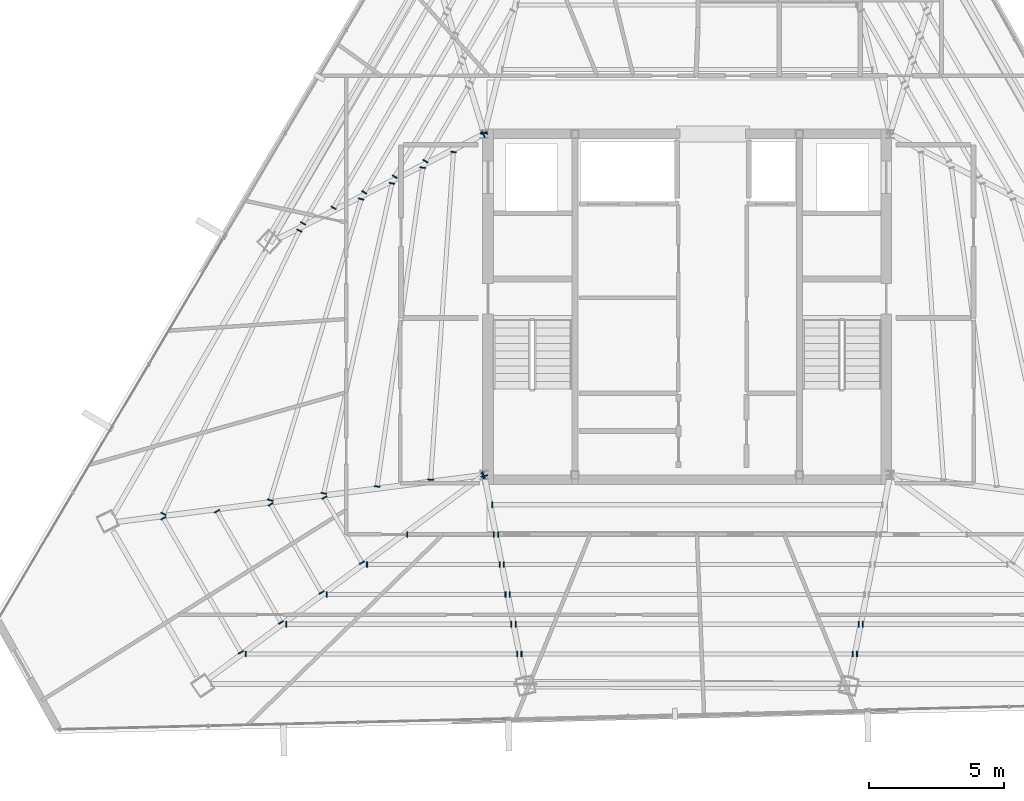
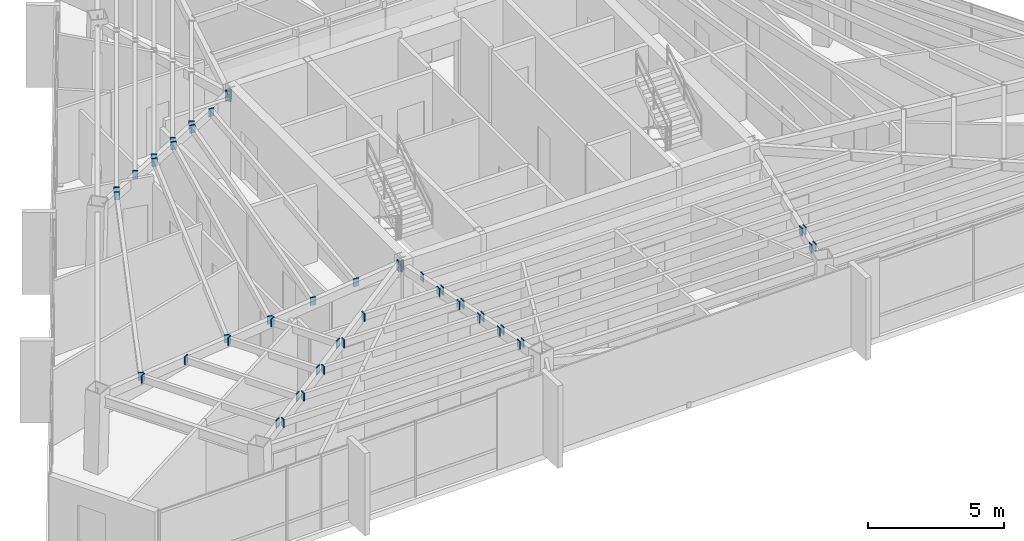
# One storey, part 39 of 48: 49 plates.
"""IFC4 building model written with IfcOpenShell, lengths in metres."""

from ifc_helpers import new_model, si_unit, direction, frame, origin, origin_2d, place, context, subcontext, project, spatial, rectangle, extrude, source, transform, mapped, material, layer, layer_set, type_object, type_shapes, element, save


model = new_model("IFC4")

# Units and contexts
model_context = context("Model", 3, precision=1e-05, world=origin(), true_north=direction((0.0, 1.0)))
body_context = subcontext(model_context, "Body", "Model", "MODEL_VIEW")
ifc_project = project(units=[si_unit("LENGTHUNIT", "METRE"), si_unit("AREAUNIT", "SQUARE_METRE"), si_unit("VOLUMEUNIT", "CUBIC_METRE"), si_unit("PLANEANGLEUNIT", "RADIAN"), si_unit("MASSUNIT", "GRAM", prefix="KILO")], contexts=[model_context])

# Site, building, storey
site_placement = place(None, origin())
site = spatial("IfcSite", under=ifc_project, at=site_placement, CompositionType="ELEMENT")
building_placement = place(site_placement, origin())
building = spatial("IfcBuilding", under=site, at=building_placement, Name="Caelisora Broadcast Tower", CompositionType="ELEMENT")
storey_placement = place(building_placement, frame((0.0, 0.0, 270.0)))
storey = spatial("IfcBuildingStorey", under=building, at=storey_placement, Name="L71", CompositionType="ELEMENT", Elevation=270.0)

# Plates
ifc_material = material(Name="Steel Grade 350 L15 (AS/NZS 3678)", Category="steel")
ifc_layer = layer(ifc_material, 0.0400390625, Name="Steel Grade 350 L15 (AS/NZS 3678)")
ifc_layer_set = layer_set([ifc_layer], Name="Steel Grade 350 L15 (AS/NZS 3678)")
plate_type = type_object("IfcPlateType", Name="GP04", PredefinedType="USERDEFINED", material=ifc_layer_set)
shared_shape_1 = source(origin(), body_context, "Body", "SweptSolid", [
    extrude(rectangle(XDim=0.260009765625, YDim=0.0400390625, at=origin_2d()), origin(), (0.0, 0.0, 1.0), 0.4599609375),
])
for number, where, z_axis, x_axis, name in (
    (1, (30.509521484375, 30.038818359375, 2.969970703125), (0.0, 0.0, 1.0), (-0.971631732915, 0.236498997024, 0.0), "L71 gusset plate GP04 (ND-RAD-L71-02)"),
    (2, (30.48828125, 30.038330078125, 2.969970703125), (0.0, 0.0, 1.0), (-0.957269037387, -0.289198876314, 0.0), "L71 gusset plate GP04 (ND-RAD-L71-03)"),
    (3, (30.46435546875, 29.98193359375, 2.969970703125), (0.0, 0.0, 1.0), (0.453368349255, -0.891323252189, 0.0), "L71 gusset plate GP04 (ND-RAD-L71-04)"),
    (4, (30.460205078125, 17.39501953125, 2.969970703125), (0.0, 0.0, 1.0), (0.127064608601, -0.99189444259, 0.0), "L71 gusset plate GP04 (ND-RAD-L71-05)"),
    (5, (30.4677734375, 17.376220703125, 2.969970703125), (0.0, 0.0, 1.0), (0.594682478203, -0.803960664534, 0.0), "L71 gusset plate GP04 (ND-RAD-L71-06)"),
    (6, (30.5078125, 17.36083984375, 2.969970703125), (0.0, 0.0, 1.0), (0.981259047624, 0.192693231472, 0.0), "L71 gusset plate GP04 (ND-RAD-L71-07)"),
):
    element("IfcPlate", number, at=place(storey_placement, frame(where, z_axis=z_axis, x_axis=x_axis)), inside=storey, type_object=plate_type, Name=name, ObjectType="GUSSET PLATE", PredefinedType="USERDEFINED", context=body_context, shape_type="MappedRepresentation", body=[
        mapped(shared_shape_1, transform((0.0, 0.0, 0.0), scale=1.0)),
    ])
shared_shape_2 = source(origin(), body_context, "Body", "SweptSolid", [
    extrude(rectangle(XDim=0.2099609375, YDim=0.0400390625, at=origin_2d()), origin(), (0.0, 0.0, 1.0), 0.360107421875),
])
type_shapes(plate_type, [shared_shape_1, shared_shape_2])
for number, where, z_axis, x_axis, name in (
    (7, (28.323486328125, 28.9912109375, 3.06982421875), (0.0, 0.0, 1.0), (0.866025403784, -0.5, 0.0), "L71 gusset plate GP04 (ND-SB-L71-012B)"),
    (8, (27.1953125, 28.417236328125, 3.06982421875), (0.0, 0.0, 1.0), (0.866025403784, -0.5, 0.0), "L71 gusset plate GP04 (ND-SB-L71-013B)"),
    (9, (26.067138671875, 27.84326171875, 3.06982421875), (0.0, 0.0, 1.0), (0.866025403784, -0.5, 0.0), "L71 gusset plate GP04 (ND-SB-L71-014B)"),
    (10, (24.938720703125, 27.269287109375, 3.06982421875), (0.0, 0.0, 1.0), (0.866025403784, -0.5, 0.0), "L71 gusset plate GP04 (ND-SB-L71-015B)"),
    (11, (23.810546875, 26.6953125, 3.06982421875), (0.0, 0.0, 1.0), (0.866025403784, -0.5, 0.0), "L71 gusset plate GP04 (ND-SB-L71-016B)"),
    (12, (29.365234375, 29.332763671875, 3.06982421875), (0.0, 0.0, 1.0), (0.997588339087, -0.069408253958, 0.0), "L71 gusset plate GP04 (ND-SB-L71-017A)"),
    (13, (28.522705078125, 17.224609375, 3.06982421875), (0.0, 0.0, 1.0), (0.997588339087, -0.069408253958, 0.0), "L71 gusset plate GP04 (ND-SB-L71-017B)"),
    (14, (28.2294921875, 28.75390625, 3.06982421875), (0.0, 0.0, 1.0), (0.989949746297, -0.141419587774, 0.0), "L71 gusset plate GP04 (ND-SB-L71-018A)"),
    (15, (26.545654296875, 16.9716796875, 3.06982421875), (0.0, 0.0, 1.0), (0.989949746297, -0.141419587774, 0.0), "L71 gusset plate GP04 (ND-SB-L71-018B)"),
    (16, (27.09228515625, 28.17431640625, 3.06982421875), (0.0, 0.0, 1.0), (0.976597262064, -0.215076237017, 0.0), "L71 gusset plate GP04 (ND-SB-L71-019A)"),
    (17, (24.5693359375, 16.718994140625, 3.06982421875), (0.0, 0.0, 1.0), (0.976597262064, -0.215076237017, 0.0), "L71 gusset plate GP04 (ND-SB-L71-019B)"),
    (18, (25.95361328125, 27.59375, 3.06982421875), (0.0, 0.0, 1.0), (0.957319497532, -0.289031796944, 0.0), "L71 gusset plate GP04 (ND-SB-L71-020A)"),
    (19, (22.593505859375, 16.466552734375, 3.06982421875), (0.0, 0.0, 1.0), (0.957319497532, -0.289031796944, 0.0), "L71 gusset plate GP04 (ND-SB-L71-020B)"),
    (20, (23.6689453125, 26.4287109375, 3.06982421875), (0.0, 0.0, 1.0), (0.9015306539, -0.43271524133, 0.0), "L71 gusset plate GP04 (ND-SB-L71-021A)"),
    (21, (18.644287109375, 15.962158203125, 3.06982421875), (0.0, 0.0, 1.0), (0.9015306539, -0.43271524133, 0.0), "L71 gusset plate GP04 (ND-SB-L71-021B)"),
    (22, (24.593994140625, 16.563720703125, 3.06982421875), (0.0, 0.0, 1.0), (0.866025403784, 0.5, 0.0), "L71 gusset plate GP04 (ND-SB-L71-022A)"),
    (23, (25.984375, 14.156005859375, 3.06982421875), (0.0, 0.0, 1.0), (0.866025403784, 0.5, 0.0), "L71 gusset plate GP04 (ND-SB-L71-022B)"),
    (24, (22.611083984375, 16.309814453125, 3.06982421875), (0.0, 0.0, 1.0), (0.866025403784, 0.5, 0.0), "L71 gusset plate GP04 (ND-SB-L71-023A)"),
    (25, (24.491943359375, 13.052001953125, 3.06982421875), (0.0, 0.0, 1.0), (0.866025403784, 0.5, 0.0), "L71 gusset plate GP04 (ND-SB-L71-023B)"),
    (26, (20.62841796875, 16.0556640625, 3.06982421875), (0.0, 0.0, 1.0), (0.866025403784, 0.5, 0.0), "L71 gusset plate GP04 (ND-SB-L71-024A)"),
    (27, (22.99951171875, 11.9482421875, 3.06982421875), (0.0, 0.0, 1.0), (0.866025403784, 0.5, 0.0), "L71 gusset plate GP04 (ND-SB-L71-024B)"),
    (28, (18.6455078125, 15.801513671875, 3.06982421875), (0.0, 0.0, 1.0), (0.866025403784, 0.5, 0.0), "L71 gusset plate GP04 (ND-SB-L71-025A)"),
    (29, (21.50732421875, 10.844482421875, 3.06982421875), (0.0, 0.0, 1.0), (0.866025403784, 0.5, 0.0), "L71 gusset plate GP04 (ND-SB-L71-025B)"),
    (30, (27.66064453125, 15.1923828125, 3.06982421875), (0.0, 0.0, 1.0), (0.0, 1.0, 0.0), "L71 gusset plate GP04 (ND-SB-L71-026A)"),
    (31, (30.854736328125, 15.1923828125, 3.06982421875), (0.0, 0.0, 1.0), (0.0, 1.0, 0.0), "L71 gusset plate GP04 (ND-SB-L71-026B)"),
    (32, (26.168212890625, 14.088623046875, 3.06982421875), (0.0, 0.0, 1.0), (0.0, 1.0, 0.0), "L71 gusset plate GP04 (ND-SB-L71-027A)"),
    (33, (31.071533203125, 14.088623046875, 3.06982421875), (0.0, 0.0, 1.0), (0.0, 1.0, 0.0), "L71 gusset plate GP04 (ND-SB-L71-027B)"),
    (34, (24.67578125, 12.98486328125, 3.06982421875), (0.0, 0.0, 1.0), (0.0, 1.0, 0.0), "L71 gusset plate GP04 (ND-SB-L71-028A)"),
    (35, (31.28857421875, 12.98486328125, 3.06982421875), (0.0, 0.0, 1.0), (0.0, 1.0, 0.0), "L71 gusset plate GP04 (ND-SB-L71-028B)"),
    (36, (23.18359375, 11.881103515625, 3.06982421875), (0.0, 0.0, 1.0), (0.0, 1.0, 0.0), "L71 gusset plate GP04 (ND-SB-L71-029A)"),
    (37, (31.50537109375, 11.881103515625, 3.06982421875), (0.0, 0.0, 1.0), (0.0, 1.0, 0.0), "L71 gusset plate GP04 (ND-SB-L71-029B)"),
    (38, (21.69140625, 10.77734375, 3.06982421875), (0.0, 0.0, 1.0), (0.0, 1.0, 0.0), "L71 gusset plate GP04 (ND-SB-L71-030A)"),
    (39, (31.72216796875, 10.77734375, 3.06982421875), (0.0, 0.0, 1.0), (0.0, 1.0, 0.0), "L71 gusset plate GP04 (ND-SB-L71-030B)"),
    (40, (30.795654296875, 16.296142578125, 3.06982421875), (0.0, 0.0, 1.0), (0.0, 1.0, 0.0), "L71 gusset plate GP04 (ND-SB-L71-031A)"),
    (41, (31.0126953125, 15.1923828125, 3.06982421875), (0.0, 0.0, 1.0), (0.0, 1.0, 0.0), "L71 gusset plate GP04 (ND-SB-L71-032A)"),
    (42, (31.2294921875, 14.088623046875, 3.06982421875), (0.0, 0.0, 1.0), (0.0, 1.0, 0.0), "L71 gusset plate GP04 (ND-SB-L71-033A)"),
    (43, (31.4462890625, 12.98486328125, 3.06982421875), (0.0, 0.0, 1.0), (0.0, 1.0, 0.0), "L71 gusset plate GP04 (ND-SB-L71-034A)"),
    (44, (31.6630859375, 11.881103515625, 3.06982421875), (0.0, 0.0, 1.0), (0.0, 1.0, 0.0), "L71 gusset plate GP04 (ND-SB-L71-035A)"),
    (45, (44.3369140625, 11.881103515625, 3.06982421875), (0.0, 0.0, 1.0), (0.0, 1.0, 0.0), "L71 gusset plate GP04 (ND-SB-L71-035B)"),
    (46, (31.8798828125, 10.77734375, 3.06982421875), (0.0, 0.0, 1.0), (0.0, 1.0, 0.0), "L71 gusset plate GP04 (ND-SB-L71-036A)"),
    (47, (44.1201171875, 10.77734375, 3.06982421875), (0.0, 0.0, 1.0), (0.0, 1.0, 0.0), "L71 gusset plate GP04 (ND-SB-L71-036B)"),
    (48, (44.49462890625, 11.881103515625, 3.06982421875), (0.0, 0.0, 1.0), (0.0, 1.0, 0.0), "L71 gusset plate GP04 (ND-SB-L71-040A)"),
    (49, (44.27783203125, 10.77734375, 3.06982421875), (0.0, 0.0, 1.0), (0.0, 1.0, 0.0), "L71 gusset plate GP04 (ND-SB-L71-041A)"),
):
    element("IfcPlate", number, at=place(storey_placement, frame(where, z_axis=z_axis, x_axis=x_axis)), inside=storey, type_object=plate_type, Name=name, ObjectType="GUSSET PLATE", PredefinedType="USERDEFINED", context=body_context, shape_type="MappedRepresentation", body=[
        mapped(shared_shape_2, transform((0.0, 0.0, 0.0), scale=1.0)),
    ])

save(model, "model.ifc")
